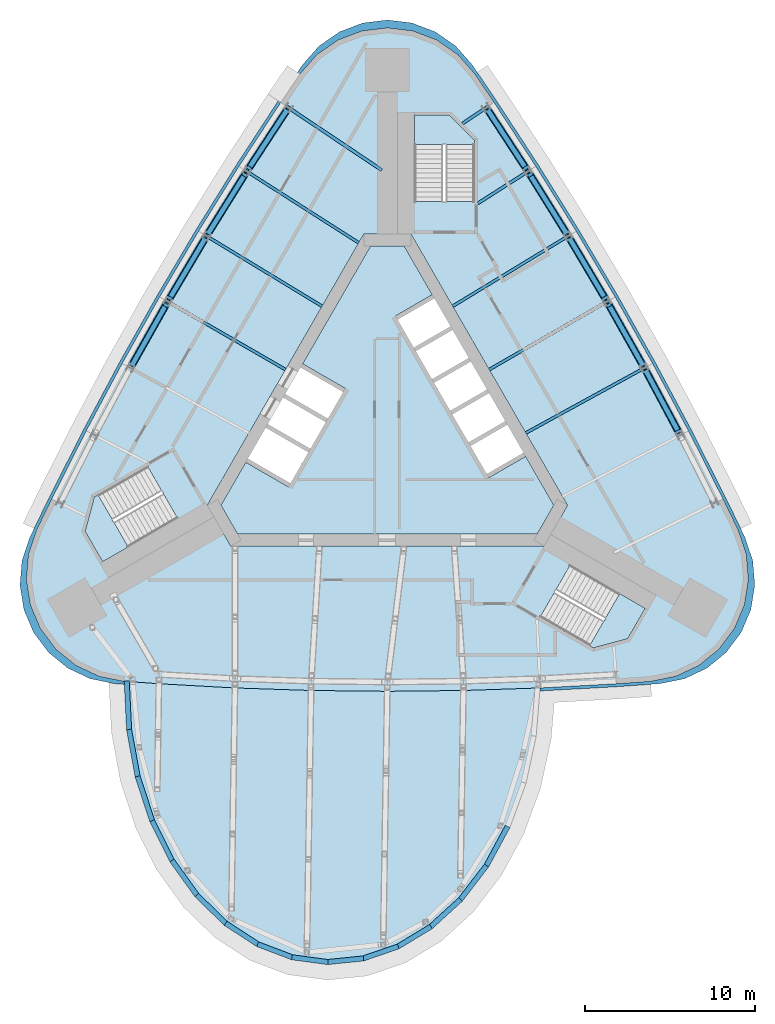
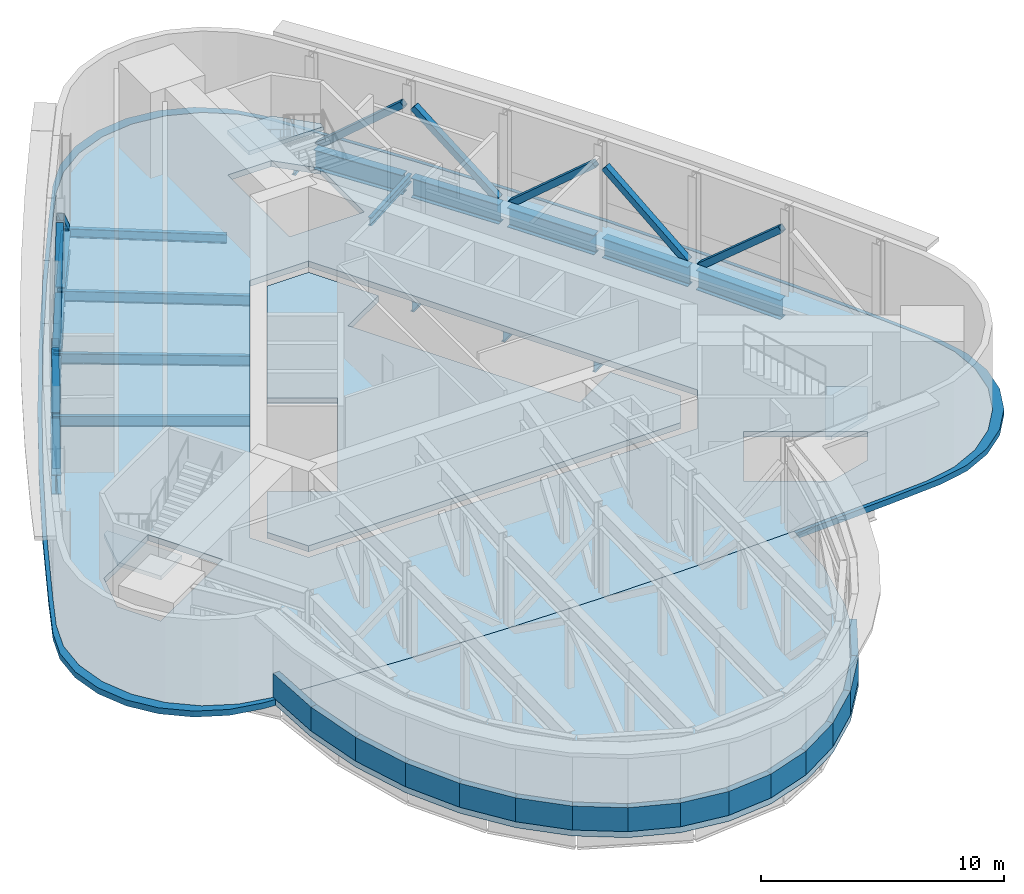
# One storey, part 5 of 10: 18 beams, 15 walls, 9 members, 7 slabs, 3 elements without a shape of their own.
"""IFC4 building model written with IfcOpenShell, lengths in metres."""

from ifc_helpers import new_model, si_unit, direction, frame, origin, origin_2d, place, context, subcontext, project, spatial, polyline, hollow_rectangle, i_section, outline, extrude, material, layer, layer_set, material_profile, profile_set, type_object, element, aggregate, save


model = new_model("IFC4")

# Units and contexts
model_context = context("Model", 3, precision=1e-05, world=origin(), true_north=direction((0.0, 1.0)))
body_context = subcontext(model_context, "Body", "Model", "MODEL_VIEW")
ifc_project = project(units=[si_unit("LENGTHUNIT", "METRE"), si_unit("AREAUNIT", "SQUARE_METRE"), si_unit("VOLUMEUNIT", "CUBIC_METRE"), si_unit("PLANEANGLEUNIT", "RADIAN"), si_unit("MASSUNIT", "GRAM", prefix="KILO")], contexts=[model_context])

# Site, building, storey
site_placement = place(None, origin())
site = spatial("IfcSite", under=ifc_project, at=site_placement, CompositionType="ELEMENT")
building_placement = place(site_placement, origin())
building = spatial("IfcBuilding", under=site, at=building_placement, Name="Noor Cloister Tower", CompositionType="ELEMENT")
storey_placement = place(building_placement, frame((0.0, 0.0, 210.300048828125)))
storey = spatial("IfcBuildingStorey", under=building, at=storey_placement, Name="L54", CompositionType="ELEMENT", Elevation=210.300048828125)

# Beams
ifc_material_1 = material(Name="Steel ASTM A992 Gr 50", Category="steel")
ifc_material_profile_1 = material_profile(ifc_material_1, i_section(OverallWidth=0.40087890625, OverallDepth=0.98291015625, WebThickness=0.0166015625, FlangeThickness=0.027099609375, FilletRadius=0.030029296875, at=origin_2d()), Name="W1000x296")
ifc_profile_set_1 = profile_set([ifc_material_profile_1], Name="Steel ASTM A992 Gr 50")
beam_type_1 = type_object("IfcBeamType", Name="Belt chord girder W1000x296", PredefinedType="BEAM", material=ifc_profile_set_1)
for number, where, z_axis, x_axis, name in (
    (1, (-5.932861328125, 18.733154296875, -0.79150390625), (-0.547107957259, -0.837062054512, 0.0), (0.837062054512, -0.547107957259, 0.0), "Spandrel beam NW 01 L54"),
    (2, (-8.384521484375, 14.974365234375, -0.79150390625), (-0.528502501811, -0.848931743769, 0.0), (0.848931743769, -0.528502501811, 0.0), "Spandrel beam NW 02 L54"),
    (3, (-10.75244140625, 11.162109375, -0.79150390625), (-0.509540810401, -0.860446490222, 0.0), (0.860446490222, -0.509540810401, 0.0), "Spandrel beam NW 03 L54"),
    (4, (-13.035400390625, 7.298583984375, -0.79150390625), (-0.490405638965, -0.871494296752, 0.0), (0.871494296752, -0.490405638965, 0.0), "Spandrel beam NW 04 L54"),
    (5, (17.160400390625, -0.225830078125, -0.79150390625), (-0.470956542932, 0.882156411681, 0.0), (-0.882156411681, -0.470956542932, 0.0), "Spandrel beam NE 02 L54"),
    (6, (15.04296875, 3.73095703125, -0.79150390625), (-0.490405638965, 0.871494296752, 0.0), (-0.871494296752, -0.490405638965, 0.0), "Spandrel beam NE 03 L54"),
    (7, (12.83837890625, 7.6396484375, -0.79150390625), (-0.509540810401, 0.860446490222, 0.0), (-0.860446490222, -0.509540810401, 0.0), "Spandrel beam NE 04 L54"),
    (8, (10.548095703125, 11.4990234375, -0.79150390625), (-0.528502501811, 0.848931743769, 0.0), (-0.848931743769, -0.528502501811, 0.0), "Spandrel beam NE 05 L54"),
    (9, (8.172607421875, 15.306396484375, -0.79150390625), (-0.547107957259, 0.837062054512, 0.0), (-0.837062054512, -0.547107957259, 0.0), "Spandrel beam NE 06 L54"),
):
    element("IfcBeam", number, at=place(storey_placement, frame(where, z_axis=z_axis, x_axis=x_axis)), inside=storey, type_object=beam_type_1, Name=name, PredefinedType="BEAM", context=body_context, shape_type="SweptSolid", body=[
        extrude(i_section(OverallWidth=0.40087890625, OverallDepth=0.98291015625, WebThickness=0.0166015625, FlangeThickness=0.027099609375, FilletRadius=0.030029296875, at=origin_2d()), origin(), (0.0, 0.0, 1.0), 4.09375),
    ])

# Members
ifc_material_2 = material(Name="Steel ASTM A500 Gr C", Category="steel")
ifc_material_profile_2 = material_profile(ifc_material_2, hollow_rectangle(XDim=0.304931640625, YDim=0.304931640625, WallThickness=0.0126953125, at=origin_2d()), Name="HSS304.8x304.8x12.7")
ifc_profile_set_2 = profile_set([ifc_material_profile_2], Name="Steel ASTM A500 Gr C")
member_type = type_object("IfcMemberType", Name="Belt truss diagonal HSS304.8x304.8x12.7", PredefinedType="BRACE", material=ifc_profile_set_2)
for number, where, z_axis, x_axis, name in (
    (10, (-5.955078125, 18.69921875, -0.183349609375), (-0.418276258798, -0.639902676363, 0.644646830528), (0.83704248896, -0.547137890916, 0.0), "Belt truss diagonal NW 01 L54"),
    (11, (-10.526611328125, 11.533203125, -0.183349609375), (0.403995493804, 0.649016016641, 0.644643972383), (-0.848960770665, 0.528455873155, 0.0), "Belt truss diagonal NW 02 L54"),
    (12, (-10.773193359375, 11.127197265625, -0.183349609375), (-0.389540618795, -0.65777712609, 0.644660653911), (0.860436779835, -0.509557207688, 0.0), "Belt truss diagonal NW 03 L54"),
    (13, (-15.023193359375, 3.76611328125, -0.183349609375), (0.374887704615, 0.666239637829, 0.644658013147), (-0.871504033729, 0.490388335092, 0.0), "Belt truss diagonal NW 04 L54"),
    (14, (15.25146484375, 3.349609375, -0.183349609375), (0.360048972198, -0.674376701705, 0.644655568359), (0.882145698725, 0.470976608996, 0.0), "Belt truss diagonal NE 02 L54"),
    (15, (15.023193359375, 3.76611328125, -0.183349609375), (-0.374887704615, 0.666239637829, 0.644658013147), (-0.871504033729, -0.490388335092, 0.0), "Belt truss diagonal NE 03 L54"),
    (16, (10.773193359375, 11.127197265625, -0.183349609375), (0.389540618795, -0.65777712609, 0.644660653911), (0.860436779835, 0.509557207688, 0.0), "Belt truss diagonal NE 04 L54"),
    (17, (10.526611328125, 11.533203125, -0.183349609375), (-0.403995493804, 0.649016016641, 0.644643972383), (-0.848960770665, -0.528455873155, 0.0), "Belt truss diagonal NE 05 L54"),
    (18, (5.955078125, 18.69921875, -0.183349609375), (0.418276258798, -0.639902676363, 0.644646830528), (0.83704248896, 0.547137890916, 0.0), "Belt truss diagonal NE 06 L54"),
):
    element("IfcMember", number, at=place(storey_placement, frame(where, z_axis=z_axis, x_axis=x_axis)), inside=storey, type_object=member_type, Name=name, PredefinedType="BRACE", context=body_context, shape_type="SweptSolid", body=[
        extrude(hollow_rectangle(XDim=0.304931640625, YDim=0.304931640625, WallThickness=0.0126953125, at=origin_2d()), origin(), (0.0, 0.0, 1.0), 5.2490234375),
    ])

# Beams
ifc_material_3 = material(Name="Steel ASTM A992 Gr 50", Category="steel")
ifc_material_profile_3 = material_profile(ifc_material_3, i_section(OverallWidth=0.177978515625, OverallDepth=0.406005859375, WebThickness=0.0078125, FlangeThickness=0.0126953125, FilletRadius=0.01025390625, at=origin_2d()), Name="W410x60")
ifc_profile_set_3 = profile_set([ifc_material_profile_3], Name="Steel ASTM A992 Gr 50")
beam_type_2 = type_object("IfcBeamType", Name="Radial beam W410x60", PredefinedType="BEAM", material=ifc_profile_set_3)
beam_1_placement = place(storey_placement, frame((8.375, 15.20166015625, -0.5029296875), z_axis=(-0.84308096962, -0.537786647904, 0.0), x_axis=(0.537786647904, -0.84308096962, 0.0)))
element("IfcBeam", 19, at=beam_1_placement, inside=storey, type_object=beam_type_2, Name="Radial beam NE 06 L54", PredefinedType="BEAM", context=body_context, shape_type="SweptSolid", body=[
    extrude(i_section(OverallWidth=0.177978515625, OverallDepth=0.406005859375, WebThickness=0.0078125, FlangeThickness=0.0126953125, FilletRadius=0.01025390625, at=origin_2d()), origin(), (0.0, 0.0, 1.0), 3.60498046875),
])
beam_2_placement = place(storey_placement, frame((5.918212890625, 18.960205078125, -0.5029296875), z_axis=(-0.830958906398, -0.556333798972, 0.0), x_axis=(0.556333798972, -0.830958906398, 0.0)))
element("IfcBeam", 20, at=beam_2_placement, inside=storey, type_object=beam_type_2, Name="Radial beam NE 07 L54", PredefinedType="BEAM", context=body_context, shape_type="SweptSolid", body=[
    extrude(i_section(OverallWidth=0.177978515625, OverallDepth=0.406005859375, WebThickness=0.0078125, FlangeThickness=0.0126953125, FilletRadius=0.01025390625, at=origin_2d()), origin(), (0.0, 0.0, 1.0), 1.792236328125),
])
ifc_material_4 = material(Name="Steel ASTM A992 Gr 50", Category="steel")
ifc_material_profile_4 = material_profile(ifc_material_4, i_section(OverallWidth=0.19091796875, OverallDepth=0.45703125, WebThickness=0.009033203125, FlangeThickness=0.014404296875, FilletRadius=0.01025390625, at=origin_2d()), Name="W460x74")
ifc_profile_set_4 = profile_set([ifc_material_profile_4], Name="Steel ASTM A992 Gr 50")
beam_type_3 = type_object("IfcBeamType", Name="Radial beam W460x74", PredefinedType="BEAM", material=ifc_profile_set_4)
beam_3_placement = place(storey_placement, frame((-5.918212890625, 18.960205078125, -0.528564453125), z_axis=(0.830949395614, -0.556348004336, 0.0), x_axis=(0.556348004336, 0.830949395614, 0.0)))
element("IfcBeam", 21, at=beam_3_placement, inside=storey, type_object=beam_type_3, Name="Radial beam NW 01 L54", PredefinedType="BEAM", context=body_context, shape_type="SweptSolid", body=[
    extrude(i_section(OverallWidth=0.19091796875, OverallDepth=0.45703125, WebThickness=0.009033203125, FlangeThickness=0.014404296875, FilletRadius=0.01025390625, at=origin_2d()), origin(), (0.0, 0.0, 1.0), 6.731201171875),
])
ifc_material_5 = material(Name="Steel ASTM A992 Gr 50", Category="steel")
ifc_material_profile_5 = material_profile(ifc_material_5, i_section(OverallWidth=0.166015625, OverallDepth=0.528076171875, WebThickness=0.009765625, FlangeThickness=0.013671875, FilletRadius=0.0126953125, at=origin_2d()), Name="W530x74")
ifc_profile_set_5 = profile_set([ifc_material_profile_5], Name="Steel ASTM A992 Gr 50")
beam_type_4 = type_object("IfcBeamType", Name="Radial beam W530x74", PredefinedType="BEAM", material=ifc_profile_set_5)
beam_4_placement = place(storey_placement, frame((-8.375, 15.20166015625, -0.56396484375), z_axis=(0.84306412447, -0.537813054909, 0.0), x_axis=(0.537813054909, 0.84306412447, 0.0)))
element("IfcBeam", 22, at=beam_4_placement, inside=storey, type_object=beam_type_4, Name="Radial beam NW 02 L54", PredefinedType="BEAM", context=body_context, shape_type="SweptSolid", body=[
    extrude(i_section(OverallWidth=0.166015625, OverallDepth=0.528076171875, WebThickness=0.009765625, FlangeThickness=0.013671875, FilletRadius=0.0126953125, at=origin_2d()), origin(), (0.0, 0.0, 1.0), 7.933349609375),
])
beam_5_placement = place(storey_placement, frame((-10.747802734375, 11.389892578125, -0.56396484375), z_axis=(0.854741535223, -0.519053858442, 0.0), x_axis=(0.519053858442, 0.854741535223, 0.0)))
element("IfcBeam", 23, at=beam_5_placement, inside=storey, type_object=beam_type_4, Name="Radial beam NW 03 L54", PredefinedType="BEAM", context=body_context, shape_type="SweptSolid", body=[
    extrude(i_section(OverallWidth=0.166015625, OverallDepth=0.528076171875, WebThickness=0.009765625, FlangeThickness=0.013671875, FilletRadius=0.0126953125, at=origin_2d()), origin(), (0.0, 0.0, 1.0), 8.076416015625),
])
beam_6_placement = place(storey_placement, frame((-13.035888671875, 7.5263671875, -0.56396484375), z_axis=(0.866020945878, -0.500007721242, 0.0), x_axis=(0.500007721242, 0.866020945878, 0.0)))
element("IfcBeam", 24, at=beam_6_placement, inside=storey, type_object=beam_type_4, Name="Radial beam NW 04 L54", PredefinedType="BEAM", context=body_context, shape_type="SweptSolid", body=[
    extrude(i_section(OverallWidth=0.166015625, OverallDepth=0.528076171875, WebThickness=0.009765625, FlangeThickness=0.013671875, FilletRadius=0.0126953125, at=origin_2d()), origin(), (0.0, 0.0, 1.0), 8.124267578125),
])
beam_7_placement = place(storey_placement, frame((15.23779296875, 3.613037109375, -0.56396484375), z_axis=(-0.876878176155, -0.480712662808, 0.0), x_axis=(0.480712662808, -0.876878176155, 0.0)))
element("IfcBeam", 25, at=beam_7_placement, inside=storey, type_object=beam_type_4, Name="Radial beam NE 03 L54", PredefinedType="BEAM", context=body_context, shape_type="SweptSolid", body=[
    extrude(i_section(OverallWidth=0.166015625, OverallDepth=0.528076171875, WebThickness=0.009765625, FlangeThickness=0.013671875, FilletRadius=0.0126953125, at=origin_2d()), origin(), (0.0, 0.0, 1.0), 8.07666015625),
])
beam_8_placement = place(storey_placement, frame((13.035888671875, 7.5263671875, -0.56396484375), z_axis=(-0.866020945878, -0.500007721242, 0.0), x_axis=(0.500007721242, -0.866020945878, 0.0)))
element("IfcBeam", 26, at=beam_8_placement, inside=storey, type_object=beam_type_4, Name="Radial beam NE 04 L54", PredefinedType="BEAM", context=body_context, shape_type="SweptSolid", body=[
    extrude(i_section(OverallWidth=0.166015625, OverallDepth=0.528076171875, WebThickness=0.009765625, FlangeThickness=0.013671875, FilletRadius=0.0126953125, at=origin_2d()), origin(), (0.0, 0.0, 1.0), 8.124267578125),
])
beam_9_placement = place(storey_placement, frame((10.747802734375, 11.389892578125, -0.56396484375), z_axis=(-0.854741535223, -0.519053858442, 0.0), x_axis=(0.519053858442, -0.854741535223, 0.0)))
element("IfcBeam", 27, at=beam_9_placement, inside=storey, type_object=beam_type_4, Name="Radial beam NE 05 L54", PredefinedType="BEAM", context=body_context, shape_type="SweptSolid", body=[
    extrude(i_section(OverallWidth=0.166015625, OverallDepth=0.528076171875, WebThickness=0.009765625, FlangeThickness=0.013671875, FilletRadius=0.0126953125, at=origin_2d()), origin(), (0.0, 0.0, 1.0), 8.076416015625),
])

# Slabs
ifc_material_6 = material(Name="Concrete C40/50", Category="concrete")
ifc_layer_1 = layer(ifc_material_6, 0.300048828125)
ifc_layer_set_1 = layer_set([ifc_layer_1], Name="Core floor slab 300 C40/50")
slab_type_1 = type_object("IfcSlabType", Name="Core floor slab 300 C40/50", PredefinedType="FLOOR", material=ifc_layer_set_1)
slab_1_placement = place(storey_placement, frame((0.0, 0.0, -0.300048828125)))
element("IfcSlab", 28, at=slab_1_placement, inside=storey, type_object=slab_type_1, Name="Core floor L54", PredefinedType="FLOOR", context=body_context, shape_type="SweptSolid", body=[
    extrude(outline(polyline([(2.643798828125, 7.877197265625), (0.9814453125, 10.75634765625), (-0.9814453125, 10.75634765625), (-4.993896484375, 3.806884765625), (-2.482421875, 2.35693359375), (-5.832275390625, -3.4453125), (-8.34375, -1.995361328125), (-9.80615234375, -4.5283203125), (-8.82470703125, -6.228271484375), (8.82470703125, -6.228271484375), (9.80615234375, -4.5283203125), (8.143798828125, -1.64892578125), (5.978759765625, -2.89892578125), (0.478759765625, 6.627197265625), (2.643798828125, 7.877197265625)])), origin(), (0.0, 0.0, 1.0), 0.300048828125),
])
ifc_material_7 = material(Name="Concrete C40/50", Category="concrete")
ifc_layer_2 = layer(ifc_material_7, 0.300048828125)
ifc_layer_set_2 = layer_set([ifc_layer_2], Name="Floor slab 300 C40/50")
slab_type_2 = type_object("IfcSlabType", Name="Floor slab 300 C40/50", PredefinedType="FLOOR", material=ifc_layer_set_2)
slab_2_placement = place(storey_placement, frame((0.0, 0.0, -0.300048828125)))
element("IfcSlab", 29, at=slab_2_placement, inside=storey, type_object=slab_type_2, Name="Floor slab L54", PredefinedType="FLOOR", context=body_context, shape_type="SweptSolid", body=[
    extrude(outline(polyline([(5.148681640625, 20.87890625), (4.1513671875, 22.012939453125), (2.91064453125, 22.874267578125), (1.499267578125, 23.412109375), (0.0, 23.5947265625), (-1.499267578125, 23.412109375), (-2.91064453125, 22.874267578125), (-4.1513671875, 22.012939453125), (-5.148681640625, 20.87890625), (-6.2822265625, 19.2041015625), (-8.744140625, 15.437255859375), (-11.122314453125, 11.6171875), (-13.415283203125, 7.745361328125), (-15.621826171875, 3.823486328125), (-17.7412109375, -0.14599609375), (-19.772216796875, -4.16162109375), (-20.65576171875, -5.98046875), (-21.139404296875, -7.411376953125), (-21.264892578125, -8.91650390625), (-21.02490234375, -10.40771484375), (-20.433837890625, -11.79736328125), (-19.52587890625, -13.00439453125), (-18.354248046875, -13.957763671875), (-16.988037109375, -14.6015625), (-15.50732421875, -14.898193359375), (-13.489990234375, -15.04248046875), (-8.9970703125, -15.291259765625), (-4.49951171875, -15.440673828125), (0.0, -15.490478515625), (4.49951171875, -15.440673828125), (8.9970703125, -15.291259765625), (13.489990234375, -15.04248046875), (15.50732421875, -14.898193359375), (16.988037109375, -14.6015625), (18.354248046875, -13.957763671875), (19.52587890625, -13.00439453125), (20.433837890625, -11.79736328125), (21.02490234375, -10.40771484375), (21.264892578125, -8.91650390625), (21.139404296875, -7.411376953125), (20.65576171875, -5.98046875), (19.772216796875, -4.16162109375), (17.7412109375, -0.14599609375), (15.621826171875, 3.823486328125), (13.415283203125, 7.745361328125), (11.122314453125, 11.6171875), (8.744140625, 15.437255859375), (6.2822265625, 19.2041015625), (5.148681640625, 20.87890625)]), holes=[polyline([(8.999755859375, -11.126220703125), (12.131591796875, -12.934326171875), (14.1572265625, -12.3916015625), (15.19091796875, -10.601318359375), (10.774658203125, -8.0517578125), (8.999755859375, -11.126220703125)]), polyline([(-17.81005859375, -6.064697265625), (-16.776611328125, -7.85498046875), (-12.3603515625, -5.305419921875), (-14.13525390625, -2.23095703125), (-16.662841796875, -3.690185546875), (-17.267333984375, -4.039306640625), (-17.81005859375, -6.064697265625)]), polyline([(-10.6142578125, -4.5283203125), (-9.228759765625, -6.92822265625), (9.228759765625, -6.92822265625), (10.6142578125, -4.5283203125), (1.3857421875, 11.456298828125), (-1.3857421875, 11.456298828125), (-10.6142578125, -4.5283203125)]), polyline([(3.65283203125, 18.456298828125), (1.585693359375, 18.456298828125), (1.585693359375, 13.35693359375), (5.135498046875, 13.35693359375), (5.135498046875, 16.9736328125), (3.65283203125, 18.456298828125)])]), origin(), (0.0, 0.0, 1.0), 0.300048828125),
])
ifc_material_8 = material(Name="Concrete C40/50", Category="concrete")
ifc_layer_3 = layer(ifc_material_8, 0.300048828125)
ifc_layer_set_3 = layer_set([ifc_layer_3], Name="Ledge roof 300 C40/50")
slab_type_3 = type_object("IfcSlabType", Name="Ledge roof 300 C40/50", PredefinedType="ROOF", material=ifc_layer_set_3)
slab_3_placement = place(storey_placement, frame((0.0, 0.0, -0.300048828125)))
element("IfcSlab", 30, at=slab_3_placement, inside=storey, type_object=slab_type_3, Name="Ledge roof L54", PredefinedType="ROOF", context=body_context, shape_type="SweptSolid", body=[
    extrude(outline(polyline([(8.898681640625, 15.526611328125), (6.43896484375, 19.294677734375), (4.985107421875, 21.43994140625), (4.018310546875, 22.535888671875), (2.816650390625, 23.36767578125), (1.45068359375, 23.88720703125), (0.0, 24.063720703125), (-1.45068359375, 23.88720703125), (-2.816650390625, 23.36767578125), (-4.018310546875, 22.535888671875), (-4.985107421875, 21.43994140625), (-6.43896484375, 19.294677734375), (-8.898681640625, 15.526611328125), (-11.275390625, 11.70556640625), (-13.56787109375, 7.83349609375), (-15.775146484375, 3.912109375), (-17.895751953125, -0.056884765625), (-19.92919921875, -4.071044921875), (-21.060302734375, -6.40283203125), (-21.52587890625, -7.7880859375), (-21.6455078125, -9.24462890625), (-21.412353515625, -10.687255859375), (-20.83984375, -12.031982421875), (-19.96142578125, -13.199951171875), (-18.82861328125, -14.123291015625), (-17.507568359375, -14.747802734375), (-16.074951171875, -15.037353515625), (-15.49853515625, -15.078857421875), (-15.50732421875, -14.898193359375), (-16.988037109375, -14.6015625), (-18.354248046875, -13.957763671875), (-19.52587890625, -13.00439453125), (-20.433837890625, -11.79736328125), (-21.02490234375, -10.40771484375), (-21.264892578125, -8.91650390625), (-21.139404296875, -7.411376953125), (-20.65576171875, -5.98046875), (-19.772216796875, -4.16162109375), (-17.7412109375, -0.14599609375), (-15.621826171875, 3.823486328125), (-13.415283203125, 7.745361328125), (-11.122314453125, 11.6171875), (-8.744140625, 15.437255859375), (-6.2822265625, 19.2041015625), (-5.148681640625, 20.87890625), (-4.1513671875, 22.012939453125), (-2.91064453125, 22.874267578125), (-1.499267578125, 23.412109375), (0.0, 23.5947265625), (1.499267578125, 23.412109375), (2.91064453125, 22.874267578125), (4.1513671875, 22.012939453125), (5.148681640625, 20.87890625), (6.2822265625, 19.2041015625), (8.744140625, 15.437255859375), (11.122314453125, 11.6171875), (13.415283203125, 7.745361328125), (15.621826171875, 3.823486328125), (17.7412109375, -0.14599609375), (19.772216796875, -4.16162109375), (20.65576171875, -5.98046875), (21.139404296875, -7.411376953125), (21.264892578125, -8.91650390625), (21.02490234375, -10.40771484375), (20.433837890625, -11.79736328125), (19.52587890625, -13.00439453125), (18.354248046875, -13.957763671875), (16.988037109375, -14.6015625), (15.50732421875, -14.898193359375), (13.489990234375, -15.04248046875), (8.9970703125, -15.291259765625), (8.982421875, -15.47021484375), (8.9970703125, -15.469970703125), (13.490234375, -15.2236328125), (16.074951171875, -15.037353515625), (17.507568359375, -14.747802734375), (18.82861328125, -14.123291015625), (19.96142578125, -13.199951171875), (20.83984375, -12.031982421875), (21.412353515625, -10.687255859375), (21.6455078125, -9.24462890625), (21.52587890625, -7.7880859375), (21.060302734375, -6.40283203125), (19.92919921875, -4.071044921875), (17.895751953125, -0.056884765625), (15.775146484375, 3.912109375), (13.56787109375, 7.83349609375), (11.275390625, 11.70556640625), (8.898681640625, 15.526611328125)])), origin(), (0.0, 0.0, 1.0), 0.300048828125),
])
ifc_material_9 = material(Name="Concrete C40/50", Category="concrete")
ifc_layer_4 = layer(ifc_material_9, 0.300048828125)
ifc_layer_set_4 = layer_set([ifc_layer_4], Name="Pod floor slab 300")
slab_type_4 = type_object("IfcSlabType", Name="Pod floor slab 300", PredefinedType="FLOOR", material=ifc_layer_set_4)
slab_4_placement = place(storey_placement, frame((0.0, 0.0, -0.300048828125)))
element("IfcSlab", 31, at=slab_4_placement, inside=storey, type_object=slab_type_4, Name="Pod floor slab L54", PredefinedType="FLOOR", context=body_context, shape_type="SweptSolid", body=[
    extrude(outline(polyline([(-15.50732421875, -14.898193359375), (-15.366943359375, -17.76611328125), (-14.85888671875, -20.552734375), (-13.998046875, -23.173583984375), (-12.810791015625, -25.548828125), (-11.333251953125, -27.6064453125), (-9.6103515625, -29.2841796875), (-7.6943359375, -30.530517578125), (-5.643310546875, -31.307861328125), (-3.519775390625, -31.5927734375), (-1.38818359375, -31.376220703125), (0.686767578125, -30.6650390625), (2.641845703125, -29.480712890625), (4.417724609375, -27.859130859375), (5.96044921875, -25.85009765625), (7.22314453125, -23.513916015625), (8.167724609375, -20.922119140625), (8.764892578125, -18.153076171875), (8.9970703125, -15.291259765625), (4.49951171875, -15.440673828125), (0.0, -15.490478515625), (-4.49951171875, -15.440673828125), (-8.9970703125, -15.291259765625), (-13.489990234375, -15.04248046875), (-15.50732421875, -14.898193359375)])), origin(), (0.0, 0.0, 1.0), 0.300048828125),
])

# Stair, slab
ifc_material_10 = material(Name="Concrete C40/50", Category="concrete")
stair_type = type_object("IfcStairType", Name="Exit stair 26 risers", PredefinedType="HALF_TURN_STAIR", material=ifc_material_10)
stair_1_placement = place(storey_placement, origin())
stair_1 = element("IfcStair", 32, at=stair_1_placement, inside=storey, type_object=stair_type, Name="Exit stair ST1 L54", PredefinedType="HALF_TURN_STAIR")
ifc_material_11 = material(Name="Concrete C40/50", Category="concrete")
ifc_layer_5 = layer(ifc_material_11, 0.199951171875)
ifc_layer_set_5 = layer_set([ifc_layer_5], Name="Stair landing 200 C40/50")
slab_type_5 = type_object("IfcSlabType", Name="Stair landing 200 C40/50", PredefinedType="LANDING", material=ifc_layer_set_5)
slab_5_placement = place(storey_placement, frame((0.0, 0.0, 2.050048828125)))
slab_5 = element("IfcSlab", 33, at=slab_5_placement, type_object=slab_type_5, Name="ST1 landing 1", PredefinedType="LANDING", context=body_context, shape_type="SweptSolid", body=[
    extrude(outline(polyline([(5.135498046875, 16.7158203125), (5.135498046875, 16.9736328125), (3.65283203125, 18.456298828125), (1.585693359375, 18.456298828125), (1.585693359375, 16.7158203125), (5.135498046875, 16.7158203125)])), origin(), (0.0, 0.0, 1.0), 0.199951171875),
])
aggregate(stair_1, [slab_5])

stair_2_placement = place(storey_placement, origin())
stair_2 = element("IfcStair", 34, at=stair_2_placement, inside=storey, type_object=stair_type, Name="Exit stair ST2 L54", PredefinedType="HALF_TURN_STAIR")
slab_6_placement = place(storey_placement, frame((0.0, 0.0, 2.050048828125)))
slab_6 = element("IfcSlab", 35, at=slab_6_placement, type_object=slab_type_5, Name="ST2 landing 1", PredefinedType="LANDING", context=body_context, shape_type="SweptSolid", body=[
    extrude(outline(polyline([(-17.044189453125, -3.910400390625), (-17.267333984375, -4.039306640625), (-17.81005859375, -6.064697265625), (-16.776611328125, -7.85498046875), (-15.26904296875, -6.984619140625), (-17.044189453125, -3.910400390625)])), origin(), (0.0, 0.0, 1.0), 0.199951171875),
])
aggregate(stair_2, [slab_6])

stair_3_placement = place(storey_placement, origin())
stair_3 = element("IfcStair", 36, at=stair_3_placement, inside=storey, type_object=stair_type, Name="Exit stair ST3 L54", PredefinedType="HALF_TURN_STAIR")
slab_7_placement = place(storey_placement, frame((0.0, 0.0, 2.050048828125)))
slab_7 = element("IfcSlab", 37, at=slab_7_placement, type_object=slab_type_5, Name="ST3 landing 1", PredefinedType="LANDING", context=body_context, shape_type="SweptSolid", body=[
    extrude(outline(polyline([(11.908447265625, -12.805419921875), (12.131591796875, -12.934326171875), (14.1572265625, -12.3916015625), (15.19091796875, -10.601318359375), (13.68359375, -9.731201171875), (11.908447265625, -12.805419921875)])), origin(), (0.0, 0.0, 1.0), 0.199951171875),
])
aggregate(stair_3, [slab_7])

# Walls
ifc_material_12 = material(Name="Limestone", Category="masonry")
ifc_layer_6 = layer(ifc_material_12, 0.300048828125)
ifc_layer_set_6 = layer_set([ifc_layer_6], Name="Limestone panel wall 300")
wall_type = type_object("IfcWallType", Name="Limestone panel wall 300", PredefinedType="NOTDEFINED", material=ifc_layer_set_6)
wall_1_placement = place(storey_placement, origin())
element("IfcWall", 38, at=wall_1_placement, inside=storey, type_object=wall_type, Name="Limestone panel wall L54 2.1", PredefinedType="NOTDEFINED", context=body_context, shape_type="SweptSolid", body=[
    extrude(outline(polyline([(-15.50732421875, -14.898193359375), (-15.366943359375, -17.76611328125), (-15.0673828125, -17.75146484375), (-15.20751953125, -14.883544921875), (-15.50732421875, -14.898193359375)])), origin(), (0.0, 0.0, 1.0), 1.199951171875),
])
wall_2_placement = place(storey_placement, origin())
element("IfcWall", 39, at=wall_2_placement, inside=storey, type_object=wall_type, Name="Limestone panel wall L54 2.2", PredefinedType="NOTDEFINED", context=body_context, shape_type="SweptSolid", body=[
    extrude(outline(polyline([(-15.366943359375, -17.76611328125), (-14.85888671875, -20.552734375), (-14.563720703125, -20.498779296875), (-15.072021484375, -17.712158203125), (-15.366943359375, -17.76611328125)])), origin(), (0.0, 0.0, 1.0), 1.199951171875),
])
wall_3_placement = place(storey_placement, origin())
element("IfcWall", 40, at=wall_3_placement, inside=storey, type_object=wall_type, Name="Limestone panel wall L54 2.3", PredefinedType="NOTDEFINED", context=body_context, shape_type="SweptSolid", body=[
    extrude(outline(polyline([(-14.85888671875, -20.552734375), (-13.998046875, -23.173583984375), (-13.713134765625, -23.079833984375), (-14.57373046875, -20.458984375), (-14.85888671875, -20.552734375)])), origin(), (0.0, 0.0, 1.0), 1.199951171875),
])
wall_4_placement = place(storey_placement, origin())
element("IfcWall", 41, at=wall_4_placement, inside=storey, type_object=wall_type, Name="Limestone panel wall L54 2.4", PredefinedType="NOTDEFINED", context=body_context, shape_type="SweptSolid", body=[
    extrude(outline(polyline([(-13.998046875, -23.173583984375), (-12.810791015625, -25.548828125), (-12.54248046875, -25.414794921875), (-13.729736328125, -23.039306640625), (-13.998046875, -23.173583984375)])), origin(), (0.0, 0.0, 1.0), 1.199951171875),
])
wall_5_placement = place(storey_placement, origin())
element("IfcWall", 42, at=wall_5_placement, inside=storey, type_object=wall_type, Name="Limestone panel wall L54 2.5", PredefinedType="NOTDEFINED", context=body_context, shape_type="SweptSolid", body=[
    extrude(outline(polyline([(-12.810791015625, -25.548828125), (-11.333251953125, -27.6064453125), (-11.089599609375, -27.431640625), (-12.567138671875, -25.373779296875), (-12.810791015625, -25.548828125)])), origin(), (0.0, 0.0, 1.0), 1.199951171875),
])
wall_6_placement = place(storey_placement, origin())
element("IfcWall", 43, at=wall_6_placement, inside=storey, type_object=wall_type, Name="Limestone panel wall L54 2.6", PredefinedType="NOTDEFINED", context=body_context, shape_type="SweptSolid", body=[
    extrude(outline(polyline([(-11.333251953125, -27.6064453125), (-9.6103515625, -29.2841796875), (-9.401123046875, -29.069091796875), (-11.1240234375, -27.3916015625), (-11.333251953125, -27.6064453125)])), origin(), (0.0, 0.0, 1.0), 1.199951171875),
])
wall_7_placement = place(storey_placement, origin())
element("IfcWall", 44, at=wall_7_placement, inside=storey, type_object=wall_type, Name="Limestone panel wall L54 2.7", PredefinedType="NOTDEFINED", context=body_context, shape_type="SweptSolid", body=[
    extrude(outline(polyline([(-9.6103515625, -29.2841796875), (-7.6943359375, -30.530517578125), (-7.53076171875, -30.279052734375), (-9.44677734375, -29.03271484375), (-9.6103515625, -29.2841796875)])), origin(), (0.0, 0.0, 1.0), 1.199951171875),
])
wall_8_placement = place(storey_placement, origin())
element("IfcWall", 45, at=wall_8_placement, inside=storey, type_object=wall_type, Name="Limestone panel wall L54 2.8", PredefinedType="NOTDEFINED", context=body_context, shape_type="SweptSolid", body=[
    extrude(outline(polyline([(-7.6943359375, -30.530517578125), (-5.643310546875, -31.307861328125), (-5.536865234375, -31.02734375), (-7.587890625, -30.25), (-7.6943359375, -30.530517578125)])), origin(), (0.0, 0.0, 1.0), 1.199951171875),
])
wall_9_placement = place(storey_placement, origin())
element("IfcWall", 46, at=wall_9_placement, inside=storey, type_object=wall_type, Name="Limestone panel wall L54 2.9", PredefinedType="NOTDEFINED", context=body_context, shape_type="SweptSolid", body=[
    extrude(outline(polyline([(-5.643310546875, -31.307861328125), (-3.519775390625, -31.5927734375), (-3.47998046875, -31.29541015625), (-5.603515625, -31.010498046875), (-5.643310546875, -31.307861328125)])), origin(), (0.0, 0.0, 1.0), 1.199951171875),
])
wall_10_placement = place(storey_placement, origin())
element("IfcWall", 47, at=wall_10_placement, inside=storey, type_object=wall_type, Name="Limestone panel wall L54 2.10", PredefinedType="NOTDEFINED", context=body_context, shape_type="SweptSolid", body=[
    extrude(outline(polyline([(-3.519775390625, -31.5927734375), (-1.38818359375, -31.376220703125), (-1.41845703125, -31.07763671875), (-3.550048828125, -31.294189453125), (-3.519775390625, -31.5927734375)])), origin(), (0.0, 0.0, 1.0), 1.199951171875),
])
wall_11_placement = place(storey_placement, origin())
element("IfcWall", 48, at=wall_11_placement, inside=storey, type_object=wall_type, Name="Limestone panel wall L54 2.11", PredefinedType="NOTDEFINED", context=body_context, shape_type="SweptSolid", body=[
    extrude(outline(polyline([(-1.38818359375, -31.376220703125), (0.686767578125, -30.6650390625), (0.58935546875, -30.381103515625), (-1.4853515625, -31.09228515625), (-1.38818359375, -31.376220703125)])), origin(), (0.0, 0.0, 1.0), 1.199951171875),
])
wall_12_placement = place(storey_placement, origin())
element("IfcWall", 49, at=wall_12_placement, inside=storey, type_object=wall_type, Name="Limestone panel wall L54 2.12", PredefinedType="NOTDEFINED", context=body_context, shape_type="SweptSolid", body=[
    extrude(outline(polyline([(0.686767578125, -30.6650390625), (2.641845703125, -29.480712890625), (2.486328125, -29.22412109375), (0.53125, -30.408447265625), (0.686767578125, -30.6650390625)])), origin(), (0.0, 0.0, 1.0), 1.199951171875),
])
wall_13_placement = place(storey_placement, origin())
element("IfcWall", 50, at=wall_13_placement, inside=storey, type_object=wall_type, Name="Limestone panel wall L54 2.13", PredefinedType="NOTDEFINED", context=body_context, shape_type="SweptSolid", body=[
    extrude(outline(polyline([(2.641845703125, -29.480712890625), (4.417724609375, -27.859130859375), (4.21533203125, -27.6376953125), (2.439453125, -29.259033203125), (2.641845703125, -29.480712890625)])), origin(), (0.0, 0.0, 1.0), 1.199951171875),
])
wall_14_placement = place(storey_placement, origin())
element("IfcWall", 51, at=wall_14_placement, inside=storey, type_object=wall_type, Name="Limestone panel wall L54 2.14", PredefinedType="NOTDEFINED", context=body_context, shape_type="SweptSolid", body=[
    extrude(outline(polyline([(4.417724609375, -27.859130859375), (5.96044921875, -25.85009765625), (5.72265625, -25.667236328125), (4.1796875, -27.676513671875), (4.417724609375, -27.859130859375)])), origin(), (0.0, 0.0, 1.0), 1.199951171875),
])
wall_15_placement = place(storey_placement, origin())
element("IfcWall", 52, at=wall_15_placement, inside=storey, type_object=wall_type, Name="Limestone panel wall L54 2.15", PredefinedType="NOTDEFINED", context=body_context, shape_type="SweptSolid", body=[
    extrude(outline(polyline([(5.96044921875, -25.85009765625), (7.22314453125, -23.513916015625), (6.959228515625, -23.371337890625), (5.696533203125, -25.707275390625), (5.96044921875, -25.85009765625)])), origin(), (0.0, 0.0, 1.0), 1.199951171875),
])

save(model, "model.ifc")
